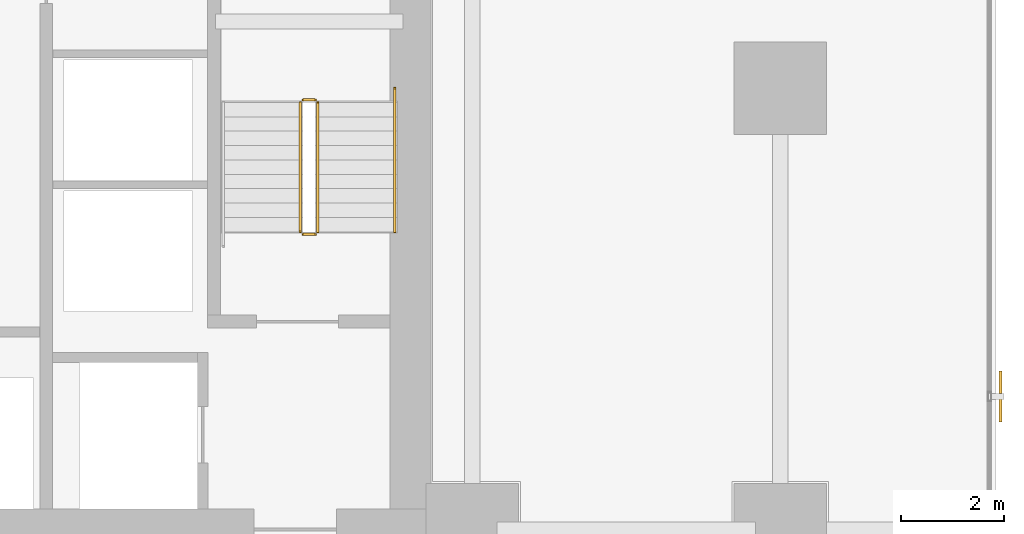
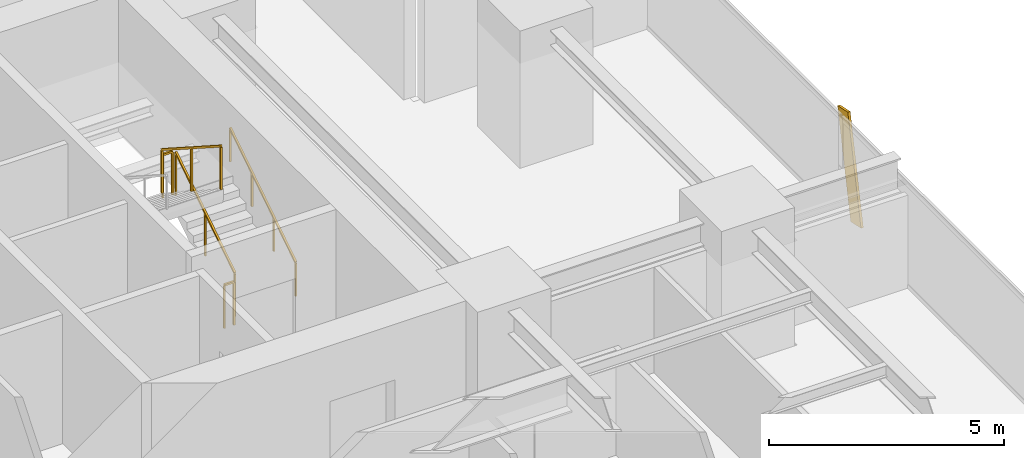
# One storey, part 33 of 34: 5 railings, 1 shading device.
"""IFC4 building model written with IfcOpenShell, lengths in metres."""

from ifc_helpers import new_model, si_unit, direction, frame, origin, origin_2d, place, context, subcontext, project, spatial, rectangle, extrude, source, transform, mapped, material, material_profile, profile_set, type_object, element, save


model = new_model("IFC4")

# Units and contexts
model_context = context("Model", 3, precision=1e-05, world=origin(), true_north=direction((0.0, 1.0)))
body_context = subcontext(model_context, "Body", "Model", "MODEL_VIEW")
ifc_project = project(units=[si_unit("LENGTHUNIT", "METRE"), si_unit("AREAUNIT", "SQUARE_METRE"), si_unit("VOLUMEUNIT", "CUBIC_METRE"), si_unit("PLANEANGLEUNIT", "RADIAN"), si_unit("MASSUNIT", "GRAM", prefix="KILO")], contexts=[model_context])

# Site, building, storey
site_placement = place(None, origin())
site = spatial("IfcSite", under=ifc_project, at=site_placement, CompositionType="ELEMENT")
building_placement = place(site_placement, origin())
building = spatial("IfcBuilding", under=site, at=building_placement, Name="Sumidabori Civic Tower", CompositionType="ELEMENT")
storey_placement = place(building_placement, frame((0.0, 0.0, 34.39990234375)))
storey = spatial("IfcBuildingStorey", under=building, at=storey_placement, Name="L08", CompositionType="ELEMENT", Elevation=34.39990234375)

# Railings
ifc_material_1 = material(Name="Stainless Steel Hairline Finish", Category="steel")
railing_type_1 = type_object("IfcRailingType", Name="RL-HANDRAIL", PredefinedType="HANDRAIL", material=ifc_material_1)
railing_1_placement = place(storey_placement, frame((15.2900390625, 16.0, 0.18017578125)))
element("IfcRailing", 1, at=railing_1_placement, inside=storey, type_object=railing_type_1, Name="L08 ST-2 stair handrail 1", PredefinedType="HANDRAIL", context=body_context, shape_type="SweptSolid", body=[
    extrude(rectangle(XDim=0.048095703125, YDim=0.048095703125, at=origin_2d()), frame((0.0, 0.0, 0.8759765625), z_axis=(0.0, 0.840675598268, 0.541539046124), x_axis=(-1.0, 0.0, 0.0)), (0.0, 0.0, 1.0), 3.330810546875),
    extrude(rectangle(XDim=0.0419921875, YDim=0.0419921875, at=origin_2d()), origin(), (0.0, 0.0, 1.0), 0.851806640625),
    extrude(rectangle(XDim=0.0419921875, YDim=0.0419921875, at=origin_2d()), frame((0.0, 0.933349609375, 0.601318359375)), (0.0, 0.0, 1.0), 0.851806640625),
    extrude(rectangle(XDim=0.0419921875, YDim=0.0419921875, at=origin_2d()), frame((0.0, 1.86669921875, 1.202392578125)), (0.0, 0.0, 1.0), 0.851806640625),
    extrude(rectangle(XDim=0.0419921875, YDim=0.0419921875, at=origin_2d()), frame((0.0, 2.800048828125, 1.8037109375)), (0.0, 0.0, 1.0), 0.851806640625),
])
ifc_material_2 = material(Name="Steel SN490", Category="steel")
railing_type_2 = type_object("IfcRailingType", Name="RL-STAIR-GUARD", PredefinedType="GUARDRAIL", material=ifc_material_2)
railing_2_placement = place(storey_placement, frame((13.7900390625, 16.0, 0.18017578125)))
element("IfcRailing", 2, at=railing_2_placement, inside=storey, type_object=railing_type_2, Name="L08 ST-2 stair guard 1", PredefinedType="GUARDRAIL", context=body_context, shape_type="SweptSolid", body=[
    extrude(rectangle(XDim=0.048095703125, YDim=0.048095703125, at=origin_2d()), frame((0.0, 0.0, 1.1259765625), z_axis=(0.0, 0.841199657755, 0.540724639528), x_axis=(-1.0, 0.0, 0.0)), (0.0, 0.0, 1.0), 2.995849609375),
    extrude(rectangle(XDim=0.0419921875, YDim=0.0419921875, at=origin_2d()), origin(), (0.0, 0.0, 1.0), 1.101806640625),
    extrude(rectangle(XDim=0.0419921875, YDim=0.0419921875, at=origin_2d()), frame((0.0, 1.260009765625, 0.81005859375)), (0.0, 0.0, 1.0), 1.101806640625),
    extrude(rectangle(XDim=0.0419921875, YDim=0.0419921875, at=origin_2d()), frame((0.0, 2.52001953125, 1.619873046875)), (0.0, 0.0, 1.0), 1.101806640625),
])
railing_3_placement = place(storey_placement, frame((13.739990234375, 18.570068359375, 1.800048828125)))
element("IfcRailing", 3, at=railing_3_placement, inside=storey, type_object=railing_type_2, Name="L08 ST-2 stair guard 2", PredefinedType="GUARDRAIL", context=body_context, shape_type="SweptSolid", body=[
    extrude(rectangle(XDim=0.048095703125, YDim=0.048095703125, at=origin_2d()), frame((0.0, 0.0, 1.1259765625), z_axis=(-1.0, 0.0, 0.0), x_axis=(0.0, -1.0, 0.0)), (0.0, 0.0, 1.0), 0.239990234375),
    extrude(rectangle(XDim=0.0419921875, YDim=0.0419921875, at=origin_2d()), origin(), (0.0, 0.0, 1.0), 1.101806640625),
    extrude(rectangle(XDim=0.0419921875, YDim=0.0419921875, at=origin_2d()), frame((-0.239990234375, 0.0, 0.0)), (0.0, 0.0, 1.0), 1.101806640625),
])
railing_4_placement = place(storey_placement, frame((13.449951171875, 18.52001953125, 1.97998046875)))
element("IfcRailing", 4, at=railing_4_placement, inside=storey, type_object=railing_type_2, Name="L08 ST-2 stair guard 3", PredefinedType="GUARDRAIL", context=body_context, shape_type="SweptSolid", body=[
    extrude(rectangle(XDim=0.048095703125, YDim=0.048095703125, at=origin_2d()), frame((0.0, 0.0, 1.1259765625), z_axis=(0.0, -0.841162588446, 0.540782303519), x_axis=(1.0, 0.0, 0.0)), (0.0, 0.0, 1.0), 2.995849609375),
    extrude(rectangle(XDim=0.0419921875, YDim=0.0419921875, at=origin_2d()), origin(), (0.0, 0.0, 1.0), 1.101806640625),
    extrude(rectangle(XDim=0.0419921875, YDim=0.0419921875, at=origin_2d()), frame((0.0, -1.260009765625, 0.81005859375)), (0.0, 0.0, 1.0), 1.101806640625),
    extrude(rectangle(XDim=0.0419921875, YDim=0.0419921875, at=origin_2d()), frame((0.0, -2.52001953125, 1.6201171875)), (0.0, 0.0, 1.0), 1.101806640625),
])
railing_5_placement = place(storey_placement, frame((13.739990234375, 15.949951171875, 0.0)))
element("IfcRailing", 5, at=railing_5_placement, inside=storey, type_object=railing_type_2, Name="L08 ST-2 stair guard 4", PredefinedType="GUARDRAIL", context=body_context, shape_type="SweptSolid", body=[
    extrude(rectangle(XDim=0.048095703125, YDim=0.048095703125, at=origin_2d()), frame((0.0, 0.0, 1.1259765625), z_axis=(-1.0, 0.0, 0.0), x_axis=(0.0, -1.0, 0.0)), (0.0, 0.0, 1.0), 0.239990234375),
    extrude(rectangle(XDim=0.0419921875, YDim=0.0419921875, at=origin_2d()), origin(), (0.0, 0.0, 1.0), 1.101806640625),
    extrude(rectangle(XDim=0.0419921875, YDim=0.0419921875, at=origin_2d()), frame((-0.239990234375, 0.0, 0.0)), (0.0, 0.0, 1.0), 1.101806640625),
])

# Shading device
ifc_material_3 = material(Name="Anodised Bronze Aluminium AW-6063-T6", Category="aluminium")
ifc_material_profile = material_profile(ifc_material_3, rectangle(XDim=0.06005859375, YDim=0.449951171875, at=origin_2d()), Name="BRONZE FIN 450x60")
ifc_profile_set = profile_set([ifc_material_profile], Name="Anodised Bronze Aluminium AW-6063-T6")
shading_device_type = type_object("IfcShadingDeviceType", Name="SH-FIN-450", PredefinedType="USERDEFINED", material=ifc_profile_set)
shared_shape = source(origin(), body_context, "Body", "SweptSolid", [
    extrude(rectangle(XDim=0.06005859375, YDim=0.449951171875, at=origin_2d()), origin(), (0.0, 0.0, 1.0), 2.738037109375),
])
shading_device_placement = place(storey_placement, frame((27.090087890625, 12.511962890625, 0.02001953125), z_axis=(0.0, 0.204545289674, 0.97885710115), x_axis=(-1.0, 0.0, 0.0)))
element("IfcShadingDevice", 6, at=shading_device_placement, inside=storey, type_object=shading_device_type, Name="Bronze Anodised Diagonal Fin L08-04", ObjectType="FIN", PredefinedType="USERDEFINED", context=body_context, shape_type="MappedRepresentation", body=[
    mapped(shared_shape, transform((0.0, 0.0, 0.0), x_axis=(1.0, 0.0, 0.0), y_axis=(0.0, 1.0, 0.0), z_axis=(0.0, 0.0, 1.0), scale=1.0)),
])

save(model, "model.ifc")
